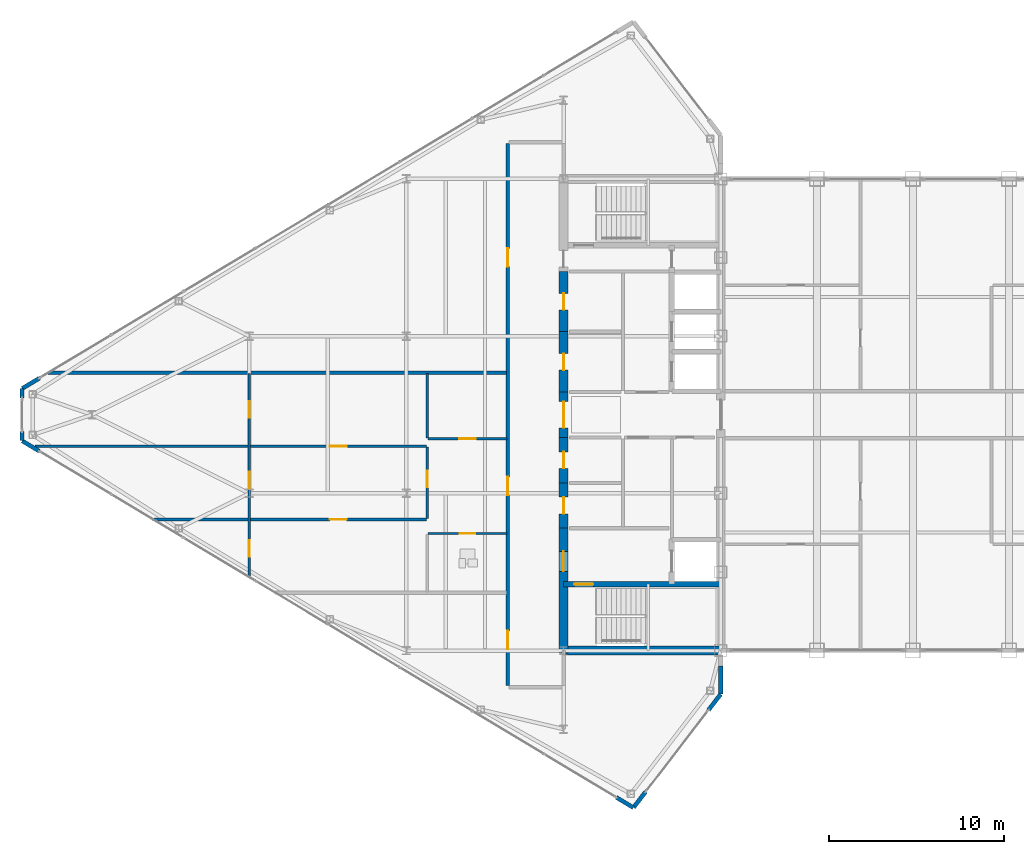
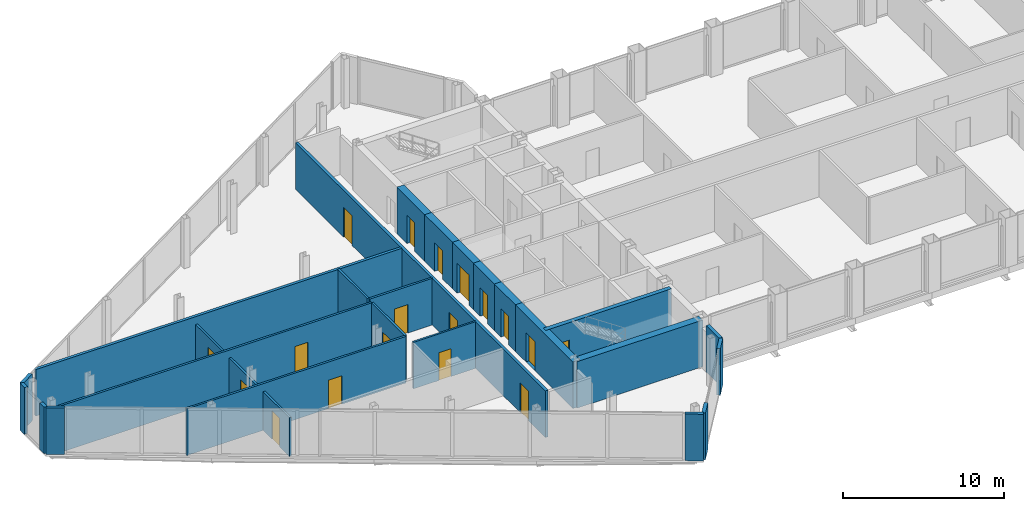
# One storey, part 21 of 29: 25 walls, 18 doors, 18 openings.
"""IFC4 building model written with IfcOpenShell, lengths in metres."""

from ifc_helpers import new_model, si_unit, direction, frame, frame_2d, origin, place, context, subcontext, project, spatial, rectangle, extrude, source, transform, mapped, material, layer, layer_set, type_object, type_shapes, element, fill, save


model = new_model("IFC4")

# Units and contexts
model_context = context("Model", 3, precision=1e-05, world=origin(), true_north=direction((0.0, 1.0)))
body_context = subcontext(model_context, "Body", "Model", "MODEL_VIEW")
ifc_project = project(units=[si_unit("LENGTHUNIT", "METRE"), si_unit("AREAUNIT", "SQUARE_METRE"), si_unit("VOLUMEUNIT", "CUBIC_METRE"), si_unit("PLANEANGLEUNIT", "RADIAN"), si_unit("MASSUNIT", "GRAM", prefix="KILO")], contexts=[model_context])

# Site, building, storey
site_placement = place(None, origin())
site = spatial("IfcSite", under=ifc_project, at=site_placement, CompositionType="ELEMENT")
building_placement = place(site_placement, origin())
building = spatial("IfcBuilding", under=site, at=building_placement, Name="Seokmaru Belvedere", CompositionType="ELEMENT")
storey_placement = place(building_placement, frame((0.0, 0.0, 254.39990234375)))
storey = spatial("IfcBuildingStorey", under=building, at=storey_placement, Name="L67", CompositionType="ELEMENT", Elevation=254.39990234375)

# Wall, opening, door
ifc_material_1 = material(Name="Fire-Rated Gypsum Shaftwall")
ifc_layer_1 = layer(ifc_material_1, 0.14990234375)
ifc_layer_set_1 = layer_set([ifc_layer_1], Name="Fire-Rated Gypsum Shaftwall")
wall_type_1 = type_object("IfcWallType", Name="Apartment Fire-Acoustic Room Partition 150", PredefinedType="PARTITIONING", material=ifc_layer_set_1)
wall_1_placement = place(storey_placement, frame((-60.034912109375, -6.0, 0.0), z_axis=(0.0, 0.0, 1.0), x_axis=(1.0, 0.0, 0.0)))
wall_1 = element("IfcWall", 1, at=wall_1_placement, inside=storey, type_object=wall_type_1, Name="L67 Interior Partition 009", PredefinedType="PARTITIONING", context=body_context, shape_type="SweptSolid", body=[
    extrude(rectangle(XDim=15.684814453125, YDim=0.14990234375, at=frame_2d((7.84228515625, 0.0))), origin(), (0.0, 0.0, 1.0), 3.530029296875),
])
opening_1_placement = place(wall_1_placement, frame((10.159912109375, 0.0, 0.0)))
opening_1 = element("IfcOpeningElement", 2, at=opening_1_placement, cuts=wall_1, Name="Opening D05", PredefinedType="OPENING", context=body_context, shape_type="SweptSolid", body=[
    extrude(rectangle(XDim=0.949951171875, YDim=2.14990234375, at=frame_2d((0.47509765625, 1.074951171875))), frame((0.0, 0.0849609375, 0.0), z_axis=(0.0, -1.0, 0.0), x_axis=(1.0, 0.0, 0.0)), (0.0, 0.0, 1.0), 0.169921875),
])
ifc_material_2 = material(Name="Engineered White Oak Timber", Category="wood")
door_type_1 = type_object("IfcDoorType", Name="Apartment Interior Fire-Rated Oak Door 950x2150", OperationType="NOTDEFINED", PredefinedType="DOOR", material=ifc_material_2)
shared_shape_1 = source(origin(), body_context, "Body", "SweptSolid", [
    extrude(rectangle(XDim=0.949951171875, YDim=2.14990234375, at=frame_2d((0.47509765625, 1.074951171875))), frame((0.0, 0.02490234375, 0.0), z_axis=(0.0, -1.0, 0.0), x_axis=(1.0, 0.0, 0.0)), (0.0, 0.0, 1.0), 0.050048828125),
])
type_shapes(door_type_1, [shared_shape_1])
door_1_placement = place(opening_1_placement, origin())
door_1 = element("IfcDoor", 3, at=door_1_placement, inside=storey, type_object=door_type_1, Name="L67 Interior Door 007", OperationType="SINGLE_SWING_LEFT", OverallHeight=2.14990234375, OverallWidth=0.949951171875, PredefinedType="DOOR", context=body_context, shape_type="MappedRepresentation", body=[
    mapped(shared_shape_1, transform((0.0, 0.0, 0.0), scale=1.0)),
])
fill(opening_1, door_1)

wall_2_placement = place(storey_placement, frame((-66.757080078125, -1.800048828125, 0.0), z_axis=(0.0, 0.0, 1.0), x_axis=(1.0, 0.0, 0.0)))
wall_2 = element("IfcWall", 4, at=wall_2_placement, inside=storey, type_object=wall_type_1, Name="L67 Interior Partition 013", PredefinedType="PARTITIONING", context=body_context, shape_type="SweptSolid", body=[
    extrude(rectangle(XDim=22.406982421875, YDim=0.14990234375, at=frame_2d((11.20361328125, 0.0))), origin(), (0.0, 0.0, 1.0), 3.530029296875),
])
opening_2_placement = place(wall_2_placement, frame((16.882080078125, 0.0, 0.0)))
opening_2 = element("IfcOpeningElement", 5, at=opening_2_placement, cuts=wall_2, Name="Opening D05", PredefinedType="OPENING", context=body_context, shape_type="SweptSolid", body=[
    extrude(rectangle(XDim=0.949951171875, YDim=2.14990234375, at=frame_2d((0.47509765625, 1.074951171875))), frame((0.0, 0.0849609375, 0.0), z_axis=(0.0, -1.0, 0.0), x_axis=(1.0, 0.0, 0.0)), (0.0, 0.0, 1.0), 0.169921875),
])
door_2_placement = place(opening_2_placement, origin())
door_2 = element("IfcDoor", 6, at=door_2_placement, inside=storey, type_object=door_type_1, Name="L67 Interior Door 008", OperationType="SINGLE_SWING_RIGHT", OverallHeight=2.14990234375, OverallWidth=0.949951171875, PredefinedType="DOOR", context=body_context, shape_type="MappedRepresentation", body=[
    mapped(shared_shape_1, transform((0.0, 0.0, 0.0), scale=1.0)),
])
fill(opening_2, door_2)

wall_3_placement = place(storey_placement, frame((-44.25, -1.3798828125, 0.0), z_axis=(0.0, 0.0, 1.0), x_axis=(1.0, 0.0, 0.0)))
wall_3 = element("IfcWall", 7, at=wall_3_placement, inside=storey, type_object=wall_type_1, Name="L67 Interior Partition 014", PredefinedType="PARTITIONING", context=body_context, shape_type="SweptSolid", body=[
    extrude(rectangle(XDim=4.5, YDim=0.14990234375, at=frame_2d((2.25, 0.0))), origin(), (0.0, 0.0, 1.0), 3.530029296875),
])
opening_3_placement = place(wall_3_placement, frame((1.77490234375, 0.0, 0.0)))
opening_3 = element("IfcOpeningElement", 8, at=opening_3_placement, cuts=wall_3, Name="Opening D05", PredefinedType="OPENING", context=body_context, shape_type="SweptSolid", body=[
    extrude(rectangle(XDim=0.949951171875, YDim=2.14990234375, at=frame_2d((0.47509765625, 1.074951171875))), frame((0.0, 0.0849609375, 0.0), z_axis=(0.0, -1.0, 0.0), x_axis=(1.0, 0.0, 0.0)), (0.0, 0.0, 1.0), 0.169921875),
])
door_3_placement = place(opening_3_placement, origin())
door_3 = element("IfcDoor", 9, at=door_3_placement, inside=storey, type_object=door_type_1, Name="L67 Interior Door 004", OperationType="SINGLE_SWING_LEFT", OverallHeight=2.14990234375, OverallWidth=0.949951171875, PredefinedType="DOOR", context=body_context, shape_type="MappedRepresentation", body=[
    mapped(shared_shape_1, transform((0.0, 0.0, 0.0), scale=1.0)),
])
fill(opening_3, door_3)

# Wall, openings, doors
wall_4_placement = place(storey_placement, frame((-54.5, -9.3349609375, 0.0), z_axis=(0.0, 0.0, 1.0), x_axis=(0.0, 1.0, 0.0)))
wall_4 = element("IfcWall", 10, at=wall_4_placement, inside=storey, type_object=wall_type_1, Name="L67 Interior Partition 027", PredefinedType="PARTITIONING", context=body_context, shape_type="SweptSolid", body=[
    extrude(rectangle(XDim=11.68505859375, YDim=0.14990234375, at=frame_2d((5.842529296875, 0.0))), origin(), (0.0, 0.0, 1.0), 2.93017578125),
])
opening_4_placement = place(wall_4_placement, frame((5.106689453125, 0.0, 0.0)))
opening_4 = element("IfcOpeningElement", 11, at=opening_4_placement, cuts=wall_4, Name="Opening D05", PredefinedType="OPENING", context=body_context, shape_type="SweptSolid", body=[
    extrude(rectangle(XDim=0.949951171875, YDim=2.14990234375, at=frame_2d((0.47509765625, 1.074951171875))), frame((0.0, 0.0849609375, 0.0), z_axis=(0.0, -1.0, 0.0), x_axis=(1.0, 0.0, 0.0)), (0.0, 0.0, 1.0), 0.169921875),
])
opening_5_placement = place(wall_4_placement, frame((1.2099609375, 0.0, 0.0)))
opening_5 = element("IfcOpeningElement", 12, at=opening_5_placement, cuts=wall_4, Name="Opening D05", PredefinedType="OPENING", context=body_context, shape_type="SweptSolid", body=[
    extrude(rectangle(XDim=0.949951171875, YDim=2.14990234375, at=frame_2d((0.47509765625, 1.074951171875))), frame((0.0, 0.0849609375, 0.0), z_axis=(0.0, -1.0, 0.0), x_axis=(1.0, 0.0, 0.0)), (0.0, 0.0, 1.0), 0.169921875),
])
opening_6_placement = place(wall_4_placement, frame((9.159912109375, 0.0, 0.0)))
opening_6 = element("IfcOpeningElement", 13, at=opening_6_placement, cuts=wall_4, Name="Opening D05", PredefinedType="OPENING", context=body_context, shape_type="SweptSolid", body=[
    extrude(rectangle(XDim=0.949951171875, YDim=2.14990234375, at=frame_2d((0.47509765625, 1.074951171875))), frame((0.0, 0.0849609375, 0.0), z_axis=(0.0, -1.0, 0.0), x_axis=(1.0, 0.0, 0.0)), (0.0, 0.0, 1.0), 0.169921875),
])
door_4_placement = place(opening_4_placement, origin())
door_4 = element("IfcDoor", 14, at=door_4_placement, inside=storey, type_object=door_type_1, Name="L67 Interior Door 006", OperationType="SINGLE_SWING_LEFT", OverallHeight=2.14990234375, OverallWidth=0.949951171875, PredefinedType="DOOR", context=body_context, shape_type="MappedRepresentation", body=[
    mapped(shared_shape_1, transform((0.0, 0.0, 0.0), scale=1.0)),
])
fill(opening_4, door_4)
door_5_placement = place(opening_5_placement, origin())
door_5 = element("IfcDoor", 15, at=door_5_placement, inside=storey, type_object=door_type_1, Name="L67 Interior Door 009", OperationType="SINGLE_SWING_RIGHT", OverallHeight=2.14990234375, OverallWidth=0.949951171875, PredefinedType="DOOR", context=body_context, shape_type="MappedRepresentation", body=[
    mapped(shared_shape_1, transform((0.0, 0.0, 0.0), scale=1.0)),
])
fill(opening_5, door_5)
door_6_placement = place(opening_6_placement, origin())
door_6 = element("IfcDoor", 16, at=door_6_placement, inside=storey, type_object=door_type_1, Name="L67 Interior Door 010", OperationType="SINGLE_SWING_LEFT", OverallHeight=2.14990234375, OverallWidth=0.949951171875, PredefinedType="DOOR", context=body_context, shape_type="MappedRepresentation", body=[
    mapped(shared_shape_1, transform((0.0, 0.0, 0.0), scale=1.0)),
])
fill(opening_6, door_6)

# Wall, opening, door
wall_5_placement = place(storey_placement, frame((-44.300048828125, -5.949951171875, 0.0), z_axis=(0.0, 0.0, 1.0), x_axis=(0.0, 1.0, 0.0)))
wall_5 = element("IfcWall", 17, at=wall_5_placement, inside=storey, type_object=wall_type_1, Name="L67 Interior Partition 029", PredefinedType="PARTITIONING", context=body_context, shape_type="SweptSolid", body=[
    extrude(rectangle(XDim=4.099853515625, YDim=0.14990234375, at=frame_2d((2.0498046875, 0.0))), origin(), (0.0, 0.0, 1.0), 3.530029296875),
])
opening_7_placement = place(wall_5_placement, frame((1.79833984375, 0.0, 0.0)))
opening_7 = element("IfcOpeningElement", 18, at=opening_7_placement, cuts=wall_5, Name="Opening D05", PredefinedType="OPENING", context=body_context, shape_type="SweptSolid", body=[
    extrude(rectangle(XDim=0.949951171875, YDim=2.14990234375, at=frame_2d((0.47509765625, 1.074951171875))), frame((0.0, 0.0849609375, 0.0), z_axis=(0.0, -1.0, 0.0), x_axis=(1.0, 0.0, 0.0)), (0.0, 0.0, 1.0), 0.169921875),
])
door_7_placement = place(opening_7_placement, origin())
door_7 = element("IfcDoor", 19, at=door_7_placement, inside=storey, type_object=door_type_1, Name="L67 Interior Door 005", OperationType="SINGLE_SWING_RIGHT", OverallHeight=2.14990234375, OverallWidth=0.949951171875, PredefinedType="DOOR", context=body_context, shape_type="MappedRepresentation", body=[
    mapped(shared_shape_1, transform((0.0, 0.0, 0.0), scale=1.0)),
])
fill(opening_7, door_7)

# Walls
wall_6_placement = place(storey_placement, frame((-44.300048828125, -1.327880859375, 0.0), z_axis=(0.0, 0.0, 1.0), x_axis=(0.0, 1.0, 0.0)))
element("IfcWall", 20, at=wall_6_placement, inside=storey, type_object=wall_type_1, Name="L67 Interior Partition 030", PredefinedType="PARTITIONING", context=body_context, shape_type="SweptSolid", body=[
    extrude(rectangle(XDim=3.677978515625, YDim=0.14990234375, at=frame_2d((1.8388671875, 0.0))), origin(), (0.0, 0.0, 1.0), 3.530029296875),
])
ifc_layer_2 = layer(ifc_material_1, 0.199951171875)
ifc_layer_set_2 = layer_set([ifc_layer_2], Name="Fire-Rated Gypsum Shaftwall")
wall_type_2 = type_object("IfcWallType", Name="Inter-Tenancy Fire Compartment Partition 200", PredefinedType="PARTITIONING", material=ifc_layer_set_2)
wall_7_placement = place(storey_placement, frame((-66.010009765625, 2.39990234375, 0.0), z_axis=(0.0, 0.0, 1.0), x_axis=(1.0, 0.0, 0.0)))
element("IfcWall", 21, at=wall_7_placement, inside=storey, type_object=wall_type_2, Name="L67 Interior Partition 019", PredefinedType="PARTITIONING", context=body_context, shape_type="SweptSolid", body=[
    extrude(rectangle(XDim=26.22998046875, YDim=0.199951171875, at=frame_2d((13.114990234375, 0.0))), origin(), (0.0, 0.0, 1.0), 3.530029296875),
])

# Wall, openings, doors
wall_8_placement = place(storey_placement, frame((-39.699951171875, -15.514892578125, 0.0), z_axis=(0.0, 0.0, 1.0), x_axis=(0.0, 1.0, 0.0)))
wall_8 = element("IfcWall", 22, at=wall_8_placement, inside=storey, type_object=wall_type_2, Name="L67 Interior Partition 031", PredefinedType="PARTITIONING", context=body_context, shape_type="SweptSolid", body=[
    extrude(rectangle(XDim=31.02978515625, YDim=0.199951171875, at=frame_2d((15.514892578125, 0.0))), origin(), (0.0, 0.0, 1.0), 3.530029296875),
])
opening_8_placement = place(wall_8_placement, frame((2.090087890625, 0.0, 0.0)))
opening_8 = element("IfcOpeningElement", 23, at=opening_8_placement, cuts=wall_8, Name="Opening D03", PredefinedType="OPENING", context=body_context, shape_type="SweptSolid", body=[
    extrude(rectangle(XDim=1.050048828125, YDim=2.25, at=frame_2d((0.52490234375, 1.125))), frame((0.0, 0.10986328125, 0.0), z_axis=(0.0, -1.0, 0.0), x_axis=(1.0, 0.0, 0.0)), (0.0, 0.0, 1.0), 0.219970703125),
])
opening_9_placement = place(wall_8_placement, frame((10.90087890625, 0.0, 0.0)))
opening_9 = element("IfcOpeningElement", 24, at=opening_9_placement, cuts=wall_8, Name="Opening D03", PredefinedType="OPENING", context=body_context, shape_type="SweptSolid", body=[
    extrude(rectangle(XDim=1.050048828125, YDim=2.25, at=frame_2d((0.52490234375, 1.125))), frame((0.0, 0.10986328125, 0.0), z_axis=(0.0, -1.0, 0.0), x_axis=(1.0, 0.0, 0.0)), (0.0, 0.0, 1.0), 0.219970703125),
])
opening_10_placement = place(wall_8_placement, frame((23.989990234375, 0.0, 0.0)))
opening_10 = element("IfcOpeningElement", 25, at=opening_10_placement, cuts=wall_8, Name="Opening D03", PredefinedType="OPENING", context=body_context, shape_type="SweptSolid", body=[
    extrude(rectangle(XDim=1.050048828125, YDim=2.25, at=frame_2d((0.52490234375, 1.125))), frame((0.0, 0.10986328125, 0.0), z_axis=(0.0, -1.0, 0.0), x_axis=(1.0, 0.0, 0.0)), (0.0, 0.0, 1.0), 0.219970703125),
])
ifc_material_3 = material(Name="Fire-Rated Steel Leaf", Category="steel")
door_type_2 = type_object("IfcDoorType", Name="Apartment Entrance Fire Door 1050x2250", OperationType="NOTDEFINED", PredefinedType="DOOR", material=ifc_material_3)
shared_shape_2 = source(origin(), body_context, "Body", "SweptSolid", [
    extrude(rectangle(XDim=1.050048828125, YDim=2.25, at=frame_2d((0.52490234375, 1.125))), frame((0.0, 0.02490234375, 0.0), z_axis=(0.0, -1.0, 0.0), x_axis=(1.0, 0.0, 0.0)), (0.0, 0.0, 1.0), 0.050048828125),
])
type_shapes(door_type_2, [shared_shape_2])
door_8_placement = place(opening_8_placement, origin())
door_8 = element("IfcDoor", 26, at=door_8_placement, inside=storey, type_object=door_type_2, Name="L67 Interior Door 001", OperationType="SINGLE_SWING_RIGHT", OverallHeight=2.25, OverallWidth=1.050048828125, PredefinedType="DOOR", context=body_context, shape_type="MappedRepresentation", body=[
    mapped(shared_shape_2, transform((0.0, 0.0, 0.0), scale=1.0)),
])
fill(opening_8, door_8)
door_9_placement = place(opening_9_placement, origin())
door_9 = element("IfcDoor", 27, at=door_9_placement, inside=storey, type_object=door_type_2, Name="L67 Interior Door 002", OperationType="SINGLE_SWING_LEFT", OverallHeight=2.25, OverallWidth=1.050048828125, PredefinedType="DOOR", context=body_context, shape_type="MappedRepresentation", body=[
    mapped(shared_shape_2, transform((0.0, 0.0, 0.0), scale=1.0)),
])
fill(opening_9, door_9)
door_10_placement = place(opening_10_placement, origin())
door_10 = element("IfcDoor", 28, at=door_10_placement, inside=storey, type_object=door_type_2, Name="L67 Interior Door 011", OperationType="SINGLE_SWING_RIGHT", OverallHeight=2.25, OverallWidth=1.050048828125, PredefinedType="DOOR", context=body_context, shape_type="MappedRepresentation", body=[
    mapped(shared_shape_2, transform((0.0, 0.0, 0.0), scale=1.0)),
])
fill(opening_10, door_10)

# Wall, opening, door
ifc_material_4 = material(Name="Concrete C50 (50 MPa)", Category="concrete")
ifc_layer_3 = layer(ifc_material_4, 0.300048828125)
ifc_layer_set_3 = layer_set([ifc_layer_3], Name="Concrete C50 (50 MPa)")
wall_type_3 = type_object("IfcWallType", Name="Internal Core Stair and Hoistway Wall 300", PredefinedType="SHEAR", material=ifc_layer_set_3)
wall_9_placement = place(storey_placement, frame((-36.5, -9.699951171875, 0.0), z_axis=(0.0, 0.0, 1.0), x_axis=(1.0, 0.0, 0.0)))
wall_9 = element("IfcWall", 29, at=wall_9_placement, inside=storey, type_object=wall_type_3, Name="L67 West Stair ST-1 Enclosure Wall", PredefinedType="SHEAR", context=body_context, shape_type="SweptSolid", body=[
    extrude(rectangle(XDim=9.0, YDim=0.300048828125, at=frame_2d((4.5, 0.0))), origin(), (0.0, 0.0, 1.0), 3.530029296875),
])
opening_11_placement = place(wall_9_placement, frame((0.60009765625, 0.0, 0.0)))
opening_11 = element("IfcOpeningElement", 30, at=opening_11_placement, cuts=wall_9, Name="Opening D01", PredefinedType="OPENING", context=body_context, shape_type="SweptSolid", body=[
    extrude(rectangle(XDim=1.10009765625, YDim=2.199951171875, at=frame_2d((0.550048828125, 1.10009765625))), frame((0.0, 0.16015625, 0.0), z_axis=(0.0, -1.0, 0.0), x_axis=(1.0, 0.0, 0.0)), (0.0, 0.0, 1.0), 0.320068359375),
])
door_type_3 = type_object("IfcDoorType", Name="Special Escape Stair Smokeproof Fire Door 1100x2200", OperationType="NOTDEFINED", PredefinedType="DOOR", material=ifc_material_3)
shared_shape_3 = source(origin(), body_context, "Body", "SweptSolid", [
    extrude(rectangle(XDim=1.10009765625, YDim=2.199951171875, at=frame_2d((0.550048828125, 1.10009765625))), frame((0.0, 0.02490234375, 0.0), z_axis=(0.0, -1.0, 0.0), x_axis=(1.0, 0.0, 0.0)), (0.0, 0.0, 1.0), 0.050048828125),
])
type_shapes(door_type_3, [shared_shape_3])
door_11_placement = place(opening_11_placement, frame((1.10009765625, 0.0, 0.0), z_axis=(0.0, 0.0, 1.0), x_axis=(-1.0, 0.0, 0.0)))
door_11 = element("IfcDoor", 31, at=door_11_placement, inside=storey, type_object=door_type_3, Name="L67 West Special Escape Stair ST-1 Door", OperationType="SINGLE_SWING_LEFT", OverallHeight=2.199951171875, OverallWidth=1.10009765625, PredefinedType="DOOR", context=body_context, shape_type="MappedRepresentation", body=[
    mapped(shared_shape_3, transform((0.0, 0.0, 0.0), scale=1.0)),
])
fill(opening_11, door_11)

ifc_layer_4 = layer(ifc_material_1, 0.1298828125)
ifc_layer_set_4 = layer_set([ifc_layer_4], Name="Fire-Rated Gypsum Shaftwall")
wall_type_4 = type_object("IfcWallType", Name="Moisture-Resistant Fire-Rated Bathroom Partition 130", PredefinedType="PARTITIONING", material=ifc_layer_set_4)
wall_10_placement = place(storey_placement, frame((-44.25, -6.800048828125, 0.0), z_axis=(0.0, 0.0, 1.0), x_axis=(1.0, 0.0, 0.0)))
wall_10 = element("IfcWall", 32, at=wall_10_placement, inside=storey, type_object=wall_type_4, Name="L67 Interior Partition 008", PredefinedType="PARTITIONING", context=body_context, shape_type="SweptSolid", body=[
    extrude(rectangle(XDim=4.5, YDim=0.1298828125, at=frame_2d((2.25, 0.0))), origin(), (0.0, 0.0, 1.0), 3.530029296875),
])
opening_12_placement = place(wall_10_placement, frame((1.81005859375, 0.0, 0.0)))
opening_12 = element("IfcOpeningElement", 33, at=opening_12_placement, cuts=wall_10, Name="Opening D06", PredefinedType="OPENING", context=body_context, shape_type="SweptSolid", body=[
    extrude(rectangle(XDim=0.8798828125, YDim=2.10009765625, at=frame_2d((0.43994140625, 1.050048828125))), frame((0.0, 0.074951171875, 0.0), z_axis=(0.0, -1.0, 0.0), x_axis=(1.0, 0.0, 0.0)), (0.0, 0.0, 1.0), 0.14990234375),
])
door_type_4 = type_object("IfcDoorType", Name="Bathroom and Restroom Fire-Rated Door 880x2100", OperationType="NOTDEFINED", PredefinedType="DOOR", material=ifc_material_2)
shared_shape_4 = source(origin(), body_context, "Body", "SweptSolid", [
    extrude(rectangle(XDim=0.8798828125, YDim=2.10009765625, at=frame_2d((0.43994140625, 1.050048828125))), frame((0.0, 0.02490234375, 0.0), z_axis=(0.0, -1.0, 0.0), x_axis=(1.0, 0.0, 0.0)), (0.0, 0.0, 1.0), 0.050048828125),
])
type_shapes(door_type_4, [shared_shape_4])
door_12_placement = place(opening_12_placement, origin())
door_12 = element("IfcDoor", 34, at=door_12_placement, inside=storey, type_object=door_type_4, Name="L67 Interior Door 003", OperationType="SINGLE_SWING_LEFT", OverallHeight=2.10009765625, OverallWidth=0.8798828125, PredefinedType="DOOR", context=body_context, shape_type="MappedRepresentation", body=[
    mapped(shared_shape_4, transform((0.0, 0.0, 0.0), scale=1.0)),
])
fill(opening_12, door_12)

# Walls
ifc_material_5 = material(Name="Anodised Bronze Aluminium", Category="aluminium")
ifc_layer_5 = layer(ifc_material_5, 0.239990234375)
ifc_layer_set_5 = layer_set([ifc_layer_5], Name="Anodised Bronze Aluminium")
wall_type_5 = type_object("IfcWallType", Name="Tower Corner Spandrel Closure Wall 240", PredefinedType="SOLIDWALL", material=ifc_layer_set_5)
wall_11_placement = place(storey_placement, frame((-27.5, -15.97998046875, 0.0), z_axis=(0.0, 0.0, 1.0), x_axis=(0.0, 1.0, 0.0)))
element("IfcWall", 35, at=wall_11_placement, inside=storey, type_object=wall_type_5, Name="L67 W Shoulder Closure Wall 1", PredefinedType="SOLIDWALL", context=body_context, shape_type="SweptSolid", body=[
    extrude(rectangle(XDim=1.605224609375, YDim=0.239990234375, at=frame_2d((0.802734375, 0.0))), origin(), (0.0, 0.0, 1.0), 3.530029296875),
])
wall_12_placement = place(storey_placement, frame((-66.513916015625, 2.091796875, 0.0), z_axis=(0.0, 0.0, 1.0), x_axis=(-0.85743623509, -0.514590228002, 0.0)))
element("IfcWall", 36, at=wall_12_placement, inside=storey, type_object=wall_type_5, Name="L67 W Corner Closure Pier 3B", PredefinedType="SOLIDWALL", context=body_context, shape_type="SweptSolid", body=[
    extrude(rectangle(XDim=1.14013671875, YDim=0.239990234375, at=frame_2d((0.570068359375, 0.0))), origin(), (0.0, 0.0, 1.0), 3.530029296875),
])
for number, where, z_axis, x_axis, name in (
    (37, (-67.5, 1.489990234375, 0.0), (0.0, 0.0, 1.0), (0.0, -1.0, 0.0), "L67 W Apex Closure Pier 4A"),
    (38, (-67.5, -0.949951171875, 0.0), (0.0, 0.0, 1.0), (0.0, -1.0, 0.0), "L67 W Apex Closure Pier 4B"),
):
    element("IfcWall", number, at=place(storey_placement, frame(where, z_axis=z_axis, x_axis=x_axis)), inside=storey, type_object=wall_type_5, Name=name, PredefinedType="SOLIDWALL", context=body_context, shape_type="SweptSolid", body=[
        extrude(rectangle(XDim=0.5400390625, YDim=0.239990234375, at=frame_2d((0.27001953125, 0.0))), origin(), (0.0, 0.0, 1.0), 3.530029296875),
    ])
for number, where, z_axis, x_axis, name in (
    (39, (-67.491455078125, -1.505126953125, 0.0), (0.0, 0.0, 1.0), (0.85743623509, -0.514590228002, 0.0), "L67 W Corner Closure Pier 5A"),
    (40, (-33.486083984375, -21.908203125, 0.0), (0.0, 0.0, 1.0), (0.85743623509, -0.514590228002, 0.0), "L67 W Corner Closure Pier 5B"),
    (41, (-32.493896484375, -22.4921875, 0.0), (0.0, 0.0, 1.0), (0.609617623633, 0.792695624408, 0.0), "L67 W Corner Closure Pier 6A"),
    (42, (-28.201171875, -16.91162109375, 0.0), (0.0, 0.0, 1.0), (0.609617623633, 0.792695624408, 0.0), "L67 W Corner Closure Pier 6B"),
):
    element("IfcWall", number, at=place(storey_placement, frame(where, z_axis=z_axis, x_axis=x_axis)), inside=storey, type_object=wall_type_5, Name=name, PredefinedType="SOLIDWALL", context=body_context, shape_type="SweptSolid", body=[
        extrude(rectangle(XDim=1.14013671875, YDim=0.239990234375, at=frame_2d((0.570068359375, 0.0))), origin(), (0.0, 0.0, 1.0), 3.530029296875),
    ])
ifc_layer_6 = layer(ifc_material_4, 0.5)
ifc_layer_set_6 = layer_set([ifc_layer_6], Name="Concrete C50 (50 MPa)")
wall_type_6 = type_object("IfcWallType", Name="Upper Tower Reinforced Concrete Core Wall 500", PredefinedType="SHEAR", material=ifc_layer_set_6)
wall_13_placement = place(storey_placement, frame((-36.5, -13.5, 0.0), z_axis=(0.0, 0.0, 1.0), x_axis=(1.0, 0.0, 0.0)))
element("IfcWall", 43, at=wall_13_placement, inside=storey, type_object=wall_type_6, Name="L67 West South Core Wall", PredefinedType="SHEAR", context=body_context, shape_type="SweptSolid", body=[
    extrude(rectangle(XDim=9.0, YDim=0.5, at=frame_2d((4.5, 0.0))), origin(), (0.0, 0.0, 1.0), 3.530029296875),
])

# Wall, opening, door
wall_14_placement = place(storey_placement, frame((-36.5, -13.64990234375, 0.0), z_axis=(0.0, 0.0, 1.0), x_axis=(0.0, 1.0, 0.0)))
wall_14 = element("IfcWall", 44, at=wall_14_placement, inside=storey, type_object=wall_type_6, Name="L67 West West Core Wall FF", PredefinedType="SHEAR", context=body_context, shape_type="SweptSolid", body=[
    extrude(rectangle(XDim=7.14990234375, YDim=0.5, at=frame_2d((3.574951171875, 0.0))), origin(), (0.0, 0.0, 1.0), 3.530029296875),
])
opening_13_placement = place(wall_14_placement, frame((4.675048828125, 0.0, 0.0)))
opening_13 = element("IfcOpeningElement", 45, at=opening_13_placement, cuts=wall_14, Name="Opening D02", PredefinedType="OPENING", context=body_context, shape_type="SweptSolid", body=[
    extrude(rectangle(XDim=1.14990234375, YDim=2.199951171875, at=frame_2d((0.574951171875, 1.10009765625))), frame((0.0, 0.260009765625, 0.0), z_axis=(0.0, -1.0, 0.0), x_axis=(1.0, 0.0, 0.0)), (0.0, 0.0, 1.0), 0.52001953125),
])
door_type_5 = type_object("IfcDoorType", Name="Lobby and Vestibule Fire Door 1150x2200", OperationType="NOTDEFINED", PredefinedType="DOOR", material=ifc_material_3)
shared_shape_5 = source(origin(), body_context, "Body", "SweptSolid", [
    extrude(rectangle(XDim=1.14990234375, YDim=2.199951171875, at=frame_2d((0.574951171875, 1.10009765625))), frame((0.0, 0.02490234375, 0.0), z_axis=(0.0, -1.0, 0.0), x_axis=(1.0, 0.0, 0.0)), (0.0, 0.0, 1.0), 0.050048828125),
])
type_shapes(door_type_5, [shared_shape_5])
door_13_placement = place(opening_13_placement, frame((1.14990234375, 0.0, 0.0), z_axis=(0.0, 0.0, 1.0), x_axis=(-1.0, 0.0, 0.0)))
door_13 = element("IfcDoor", 46, at=door_13_placement, inside=storey, type_object=door_type_5, Name="L67 West Firefighting Lobby Door", OperationType="SINGLE_SWING_LEFT", OverallHeight=2.199951171875, OverallWidth=1.14990234375, PredefinedType="DOOR", context=body_context, shape_type="MappedRepresentation", body=[
    mapped(shared_shape_5, transform((0.0, 0.0, 0.0), scale=1.0)),
])
fill(opening_13, door_13)

wall_15_placement = place(storey_placement, frame((-36.5, -1.300048828125, 0.0), z_axis=(0.0, 0.0, 1.0), x_axis=(0.0, 1.0, 0.0)))
wall_15 = element("IfcWall", 47, at=wall_15_placement, inside=storey, type_object=wall_type_6, Name="L67 West West Core Wall FOY", PredefinedType="SHEAR", context=body_context, shape_type="SweptSolid", body=[
    extrude(rectangle(XDim=2.60009765625, YDim=0.5, at=frame_2d((1.300048828125, 0.0))), origin(), (0.0, 0.0, 1.0), 3.530029296875),
])
opening_14_placement = place(wall_15_placement, frame((0.550048828125, 0.0, 0.0)))
opening_14 = element("IfcOpeningElement", 48, at=opening_14_placement, cuts=wall_15, Name="Opening D08", PredefinedType="OPENING", context=body_context, shape_type="SweptSolid", body=[
    extrude(rectangle(XDim=1.5, YDim=2.300048828125, at=frame_2d((0.75, 1.14990234375))), frame((0.0, 0.260009765625, 0.0), z_axis=(0.0, -1.0, 0.0), x_axis=(1.0, 0.0, 0.0)), (0.0, 0.0, 1.0), 0.52001953125),
])
door_type_6 = type_object("IfcDoorType", Name="Cross-Corridor Compartment Double Fire Door 1500x2300", OperationType="DOUBLE_SWING_LEFT", PredefinedType="DOOR", material=ifc_material_3)
shared_shape_6 = source(origin(), body_context, "Body", "SweptSolid", [
    extrude(rectangle(XDim=1.5, YDim=2.300048828125, at=frame_2d((0.75, 1.14990234375))), frame((0.0, 0.02490234375, 0.0), z_axis=(0.0, -1.0, 0.0), x_axis=(1.0, 0.0, 0.0)), (0.0, 0.0, 1.0), 0.050048828125),
])
type_shapes(door_type_6, [shared_shape_6])
door_14_placement = place(opening_14_placement, origin())
door_14 = element("IfcDoor", 49, at=door_14_placement, inside=storey, type_object=door_type_6, Name="L67 West Core Foyer Compartment Door", OperationType="DOUBLE_SWING_LEFT", OverallHeight=2.300048828125, OverallWidth=1.5, PredefinedType="DOOR", context=body_context, shape_type="MappedRepresentation", body=[
    mapped(shared_shape_6, transform((0.0, 0.0, 0.0), scale=1.0)),
])
fill(opening_14, door_14)

wall_16_placement = place(storey_placement, frame((-36.5, -6.5, 0.0), z_axis=(0.0, 0.0, 1.0), x_axis=(0.0, 1.0, 0.0)))
wall_16 = element("IfcWall", 50, at=wall_16_placement, inside=storey, type_object=wall_type_6, Name="L67 West West Core Wall CS1", PredefinedType="SHEAR", context=body_context, shape_type="SweptSolid", body=[
    extrude(rectangle(XDim=2.60009765625, YDim=0.5, at=frame_2d((1.300048828125, 0.0))), origin(), (0.0, 0.0, 1.0), 3.530029296875),
])
opening_15_placement = place(wall_16_placement, frame((0.824951171875, 0.0, 0.0)))
opening_15 = element("IfcOpeningElement", 51, at=opening_15_placement, cuts=wall_16, Name="Opening D04", PredefinedType="OPENING", context=body_context, shape_type="SweptSolid", body=[
    extrude(rectangle(XDim=0.949951171875, YDim=2.14990234375, at=frame_2d((0.47509765625, 1.074951171875))), frame((0.0, 0.260009765625, 0.0), z_axis=(0.0, -1.0, 0.0), x_axis=(1.0, 0.0, 0.0)), (0.0, 0.0, 1.0), 0.52001953125),
])
door_type_7 = type_object("IfcDoorType", Name="Core Service Room Fire Door 950x2150", OperationType="NOTDEFINED", PredefinedType="DOOR", material=ifc_material_3)
shared_shape_7 = source(origin(), body_context, "Body", "SweptSolid", [
    extrude(rectangle(XDim=0.949951171875, YDim=2.14990234375, at=frame_2d((0.47509765625, 1.074951171875))), frame((0.0, 0.02490234375, 0.0), z_axis=(0.0, -1.0, 0.0), x_axis=(1.0, 0.0, 0.0)), (0.0, 0.0, 1.0), 0.050048828125),
])
type_shapes(door_type_7, [shared_shape_7])
door_15_placement = place(opening_15_placement, origin())
door_15 = element("IfcDoor", 52, at=door_15_placement, inside=storey, type_object=door_type_7, Name="L67 West Core Service Room Door 1", OperationType="SINGLE_SWING_LEFT", OverallHeight=2.14990234375, OverallWidth=0.949951171875, PredefinedType="DOOR", context=body_context, shape_type="MappedRepresentation", body=[
    mapped(shared_shape_7, transform((0.0, 0.0, 0.0), scale=1.0)),
])
fill(opening_15, door_15)

wall_17_placement = place(storey_placement, frame((-36.5, -3.89990234375, 0.0), z_axis=(0.0, 0.0, 1.0), x_axis=(0.0, 1.0, 0.0)))
wall_17 = element("IfcWall", 53, at=wall_17_placement, inside=storey, type_object=wall_type_6, Name="L67 West West Core Wall CS2", PredefinedType="SHEAR", context=body_context, shape_type="SweptSolid", body=[
    extrude(rectangle(XDim=2.599853515625, YDim=0.5, at=frame_2d((1.2998046875, 0.0))), origin(), (0.0, 0.0, 1.0), 3.530029296875),
])
opening_16_placement = place(wall_17_placement, frame((0.824951171875, 0.0, 0.0)))
opening_16 = element("IfcOpeningElement", 54, at=opening_16_placement, cuts=wall_17, Name="Opening D04", PredefinedType="OPENING", context=body_context, shape_type="SweptSolid", body=[
    extrude(rectangle(XDim=0.949951171875, YDim=2.14990234375, at=frame_2d((0.47509765625, 1.074951171875))), frame((0.0, 0.260009765625, 0.0), z_axis=(0.0, -1.0, 0.0), x_axis=(1.0, 0.0, 0.0)), (0.0, 0.0, 1.0), 0.52001953125),
])
door_16_placement = place(opening_16_placement, origin())
door_16 = element("IfcDoor", 55, at=door_16_placement, inside=storey, type_object=door_type_7, Name="L67 West Core Service Room Door 2", OperationType="SINGLE_SWING_RIGHT", OverallHeight=2.14990234375, OverallWidth=0.949951171875, PredefinedType="DOOR", context=body_context, shape_type="MappedRepresentation", body=[
    mapped(shared_shape_7, transform((0.0, 0.0, 0.0), scale=1.0)),
])
fill(opening_16, door_16)

wall_18_placement = place(storey_placement, frame((-36.5, 1.300048828125, 0.0), z_axis=(0.0, 0.0, 1.0), x_axis=(0.0, 1.0, 0.0)))
wall_18 = element("IfcWall", 56, at=wall_18_placement, inside=storey, type_object=wall_type_6, Name="L67 West West Core Wall CS3", PredefinedType="SHEAR", context=body_context, shape_type="SweptSolid", body=[
    extrude(rectangle(XDim=3.449951171875, YDim=0.5, at=frame_2d((1.72509765625, 0.0))), origin(), (0.0, 0.0, 1.0), 3.530029296875),
])
opening_17_placement = place(wall_18_placement, frame((1.25, 0.0, 0.0)))
opening_17 = element("IfcOpeningElement", 57, at=opening_17_placement, cuts=wall_18, Name="Opening D04", PredefinedType="OPENING", context=body_context, shape_type="SweptSolid", body=[
    extrude(rectangle(XDim=0.949951171875, YDim=2.14990234375, at=frame_2d((0.47509765625, 1.074951171875))), frame((0.0, 0.260009765625, 0.0), z_axis=(0.0, -1.0, 0.0), x_axis=(1.0, 0.0, 0.0)), (0.0, 0.0, 1.0), 0.52001953125),
])
door_17_placement = place(opening_17_placement, origin())
door_17 = element("IfcDoor", 58, at=door_17_placement, inside=storey, type_object=door_type_7, Name="L67 West Core Service Room Door 3", OperationType="SINGLE_SWING_LEFT", OverallHeight=2.14990234375, OverallWidth=0.949951171875, PredefinedType="DOOR", context=body_context, shape_type="MappedRepresentation", body=[
    mapped(shared_shape_7, transform((0.0, 0.0, 0.0), scale=1.0)),
])
fill(opening_17, door_17)

wall_19_placement = place(storey_placement, frame((-36.5, 4.75, 0.0), z_axis=(0.0, 0.0, 1.0), x_axis=(0.0, 1.0, 0.0)))
wall_19 = element("IfcWall", 59, at=wall_19_placement, inside=storey, type_object=wall_type_6, Name="L67 West West Core Wall CS4", PredefinedType="SHEAR", context=body_context, shape_type="SweptSolid", body=[
    extrude(rectangle(XDim=3.449951171875, YDim=0.5, at=frame_2d((1.72509765625, 0.0))), origin(), (0.0, 0.0, 1.0), 3.530029296875),
])
opening_18_placement = place(wall_19_placement, frame((1.25, 0.0, 0.0)))
opening_18 = element("IfcOpeningElement", 60, at=opening_18_placement, cuts=wall_19, Name="Opening D04", PredefinedType="OPENING", context=body_context, shape_type="SweptSolid", body=[
    extrude(rectangle(XDim=0.949951171875, YDim=2.14990234375, at=frame_2d((0.47509765625, 1.074951171875))), frame((0.0, 0.260009765625, 0.0), z_axis=(0.0, -1.0, 0.0), x_axis=(1.0, 0.0, 0.0)), (0.0, 0.0, 1.0), 0.52001953125),
])
door_18_placement = place(opening_18_placement, origin())
door_18 = element("IfcDoor", 61, at=door_18_placement, inside=storey, type_object=door_type_7, Name="L67 West Core Service Room Door 4", OperationType="SINGLE_SWING_RIGHT", OverallHeight=2.14990234375, OverallWidth=0.949951171875, PredefinedType="DOOR", context=body_context, shape_type="MappedRepresentation", body=[
    mapped(shared_shape_7, transform((0.0, 0.0, 0.0), scale=1.0)),
])
fill(opening_18, door_18)

save(model, "model.ifc")
